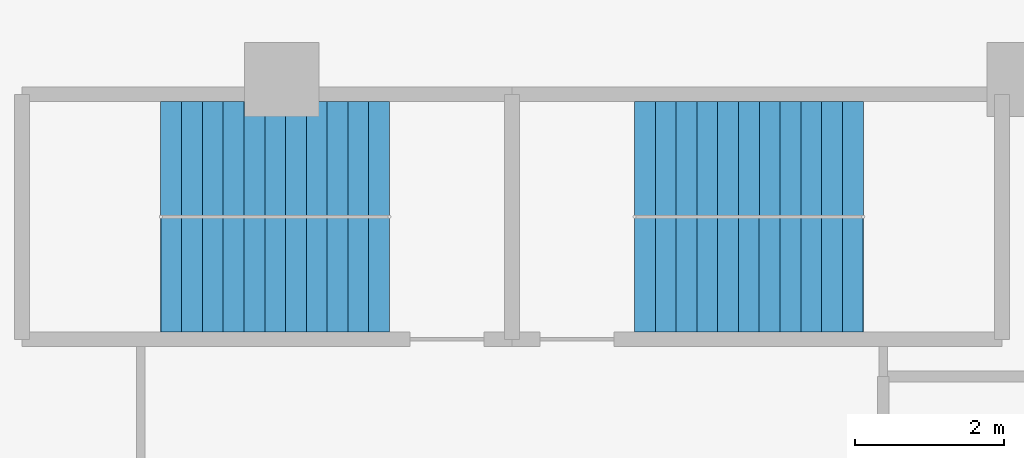
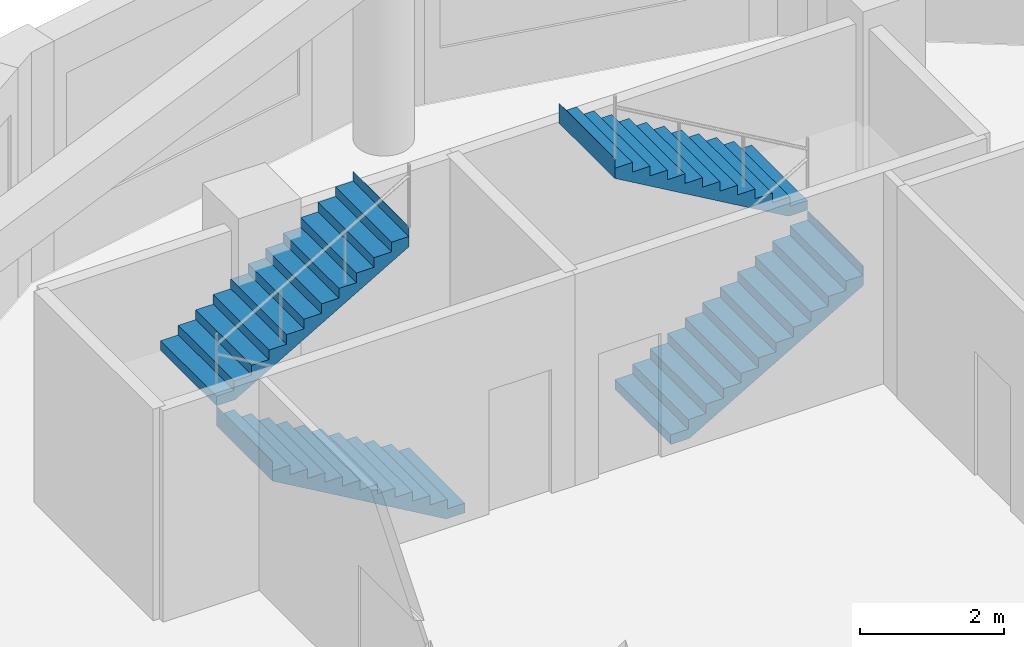
# One storey, part 7 of 9: 4 stair flights, 2 elements without a shape of their own.
"""IFC4 building model written with IfcOpenShell, lengths in metres."""

from ifc_helpers import new_model, si_unit, direction, frame, origin, place, context, subcontext, project, spatial, polyline, outline, extrude, material, type_object, element, aggregate, save


model = new_model("IFC4")

# Units and contexts
model_context = context("Model", 3, precision=1e-05, world=origin(), true_north=direction((0.0, 1.0)))
body_context = subcontext(model_context, "Body", "Model", "MODEL_VIEW")
ifc_project = project(units=[si_unit("LENGTHUNIT", "METRE"), si_unit("AREAUNIT", "SQUARE_METRE"), si_unit("VOLUMEUNIT", "CUBIC_METRE"), si_unit("PLANEANGLEUNIT", "RADIAN"), si_unit("MASSUNIT", "GRAM", prefix="KILO")], contexts=[model_context])

# Site, building, storey
site_placement = place(None, origin())
site = spatial("IfcSite", under=ifc_project, at=site_placement, CompositionType="ELEMENT")
building_placement = place(site_placement, origin())
building = spatial("IfcBuilding", under=site, at=building_placement, Name="Qaws Garden Tower", CompositionType="ELEMENT")
storey_placement = place(building_placement, frame((0.0, 0.0, 263.10009765625)))
storey = spatial("IfcBuildingStorey", under=building, at=storey_placement, Name="L63", CompositionType="ELEMENT", Elevation=263.10009765625)

# Stair, stair flights
ifc_material_1 = material(Name="Concrete C40", Category="concrete")
stair_type = type_object("IfcStairType", Name="Exit stair 1350", PredefinedType="HALF_TURN_STAIR", material=ifc_material_1)
placement = place(storey_placement, origin())
stair_1 = element("IfcStair", 1, at=placement, inside=storey, type_object=stair_type, Name="Stair 6", PredefinedType="HALF_TURN_STAIR")
ifc_material_2 = material(Name="Concrete C40", Category="concrete")
stair_flight_type = type_object("IfcStairFlightType", Name="Stair flight 1350", PredefinedType="STRAIGHT", material=ifc_material_2)
stair_flight_1_placement = place(storey_placement, frame((11.449951171875, 67.375, 0.0), z_axis=(0.0, 0.0, 1.0), x_axis=(-1.0, 0.0, 0.0)))
stair_flight_1 = element("IfcStairFlight", 2, at=stair_flight_1_placement, type_object=stair_flight_type, Name="ST6 flight 1", NumberOfRisers=12, NumberOfTreads=11, PredefinedType="STRAIGHT", RiserHeight=0.1625, TreadLength=0.28, context=body_context, shape_type="SweptSolid", body=[
    extrude(outline(polyline([(-0.0029296875, 0.0), (-0.0029296875, 0.16259765625), (0.0, 0.16259765625), (0.280029296875, 0.16259765625), (0.280029296875, 0.324951171875), (0.56005859375, 0.324951171875), (0.56005859375, 0.487548828125), (0.840087890625, 0.487548828125), (0.840087890625, 0.64990234375), (1.1201171875, 0.64990234375), (1.1201171875, 0.8125), (1.39990234375, 0.8125), (1.39990234375, 0.97509765625), (1.679931640625, 0.97509765625), (1.679931640625, 1.137451171875), (1.9599609375, 1.137451171875), (1.9599609375, 1.300048828125), (2.239990234375, 1.300048828125), (2.239990234375, 1.46240234375), (2.52001953125, 1.46240234375), (2.52001953125, 1.625), (2.800048828125, 1.625), (2.800048828125, 1.78759765625), (3.080078125, 1.78759765625), (3.080078125, 1.949951171875), (3.0830078125, 1.949951171875), (3.0830078125, 1.6142578125), (3.080078125, 1.6142578125), (0.298583984375, 0.0), (-0.0029296875, 0.0)])), frame((0.0, 0.77490234375, 0.0), z_axis=(0.0, -1.0, 0.0), x_axis=(1.0, 0.0, 0.0)), (0.0, 0.0, 1.0), 1.550048828125),
])
stair_flight_2_placement = place(storey_placement, frame((8.3701171875, 68.925048828125, 1.949951171875), z_axis=(0.0, 0.0, 1.0), x_axis=(1.0, 0.0, 0.0)))
stair_flight_2 = element("IfcStairFlight", 3, at=stair_flight_2_placement, type_object=stair_flight_type, Name="ST6 flight 2", NumberOfRisers=12, NumberOfTreads=11, PredefinedType="STRAIGHT", RiserHeight=0.1625, TreadLength=0.28, context=body_context, shape_type="SweptSolid", body=[
    extrude(outline(polyline([(-0.0029296875, 0.0), (-0.0029296875, 0.16259765625), (0.0, 0.16259765625), (0.280029296875, 0.16259765625), (0.280029296875, 0.324951171875), (0.56005859375, 0.324951171875), (0.56005859375, 0.487548828125), (0.840087890625, 0.487548828125), (0.840087890625, 0.64990234375), (1.1201171875, 0.64990234375), (1.1201171875, 0.8125), (1.39990234375, 0.8125), (1.39990234375, 0.97509765625), (1.679931640625, 0.97509765625), (1.679931640625, 1.137451171875), (1.9599609375, 1.137451171875), (1.9599609375, 1.300048828125), (2.239990234375, 1.300048828125), (2.239990234375, 1.46240234375), (2.52001953125, 1.46240234375), (2.52001953125, 1.625), (2.800048828125, 1.625), (2.800048828125, 1.78759765625), (3.080078125, 1.78759765625), (3.080078125, 1.949951171875), (3.0830078125, 1.949951171875), (3.0830078125, 1.6142578125), (3.080078125, 1.6142578125), (0.298583984375, 0.0), (-0.0029296875, 0.0)])), frame((0.0, 0.77490234375, 0.0), z_axis=(0.0, -1.0, 0.0), x_axis=(1.0, 0.0, 0.0)), (0.0, 0.0, 1.0), 1.550048828125),
])
aggregate(stair_1, [stair_flight_1, stair_flight_2])

stair_2 = element("IfcStair", 4, at=placement, inside=storey, type_object=stair_type, Name="Stair 7", PredefinedType="HALF_TURN_STAIR")
stair_flight_3_placement = place(storey_placement, frame((14.75, 67.375, 0.0), z_axis=(0.0, 0.0, 1.0), x_axis=(1.0, 0.0, 0.0)))
stair_flight_3 = element("IfcStairFlight", 5, at=stair_flight_3_placement, type_object=stair_flight_type, Name="ST7 flight 1", NumberOfRisers=12, NumberOfTreads=11, PredefinedType="STRAIGHT", RiserHeight=0.1625, TreadLength=0.28, context=body_context, shape_type="SweptSolid", body=[
    extrude(outline(polyline([(-0.0029296875, 0.0), (-0.0029296875, 0.16259765625), (0.0, 0.16259765625), (0.280029296875, 0.16259765625), (0.280029296875, 0.324951171875), (0.56005859375, 0.324951171875), (0.56005859375, 0.487548828125), (0.840087890625, 0.487548828125), (0.840087890625, 0.64990234375), (1.1201171875, 0.64990234375), (1.1201171875, 0.8125), (1.39990234375, 0.8125), (1.39990234375, 0.97509765625), (1.679931640625, 0.97509765625), (1.679931640625, 1.137451171875), (1.9599609375, 1.137451171875), (1.9599609375, 1.300048828125), (2.239990234375, 1.300048828125), (2.239990234375, 1.46240234375), (2.52001953125, 1.46240234375), (2.52001953125, 1.625), (2.800048828125, 1.625), (2.800048828125, 1.78759765625), (3.080078125, 1.78759765625), (3.080078125, 1.949951171875), (3.0830078125, 1.949951171875), (3.0830078125, 1.6142578125), (3.080078125, 1.6142578125), (0.298583984375, 0.0), (-0.0029296875, 0.0)])), frame((0.0, 0.77490234375, 0.0), z_axis=(0.0, -1.0, 0.0), x_axis=(1.0, 0.0, 0.0)), (0.0, 0.0, 1.0), 1.550048828125),
])
stair_flight_4_placement = place(storey_placement, frame((17.830078125, 68.925048828125, 1.949951171875), z_axis=(0.0, 0.0, 1.0), x_axis=(-1.0, 0.0, 0.0)))
stair_flight_4 = element("IfcStairFlight", 6, at=stair_flight_4_placement, type_object=stair_flight_type, Name="ST7 flight 2", NumberOfRisers=12, NumberOfTreads=11, PredefinedType="STRAIGHT", RiserHeight=0.1625, TreadLength=0.28, context=body_context, shape_type="SweptSolid", body=[
    extrude(outline(polyline([(-0.0029296875, 0.0), (-0.0029296875, 0.16259765625), (0.0, 0.16259765625), (0.280029296875, 0.16259765625), (0.280029296875, 0.324951171875), (0.56005859375, 0.324951171875), (0.56005859375, 0.487548828125), (0.840087890625, 0.487548828125), (0.840087890625, 0.64990234375), (1.1201171875, 0.64990234375), (1.1201171875, 0.8125), (1.39990234375, 0.8125), (1.39990234375, 0.97509765625), (1.679931640625, 0.97509765625), (1.679931640625, 1.137451171875), (1.9599609375, 1.137451171875), (1.9599609375, 1.300048828125), (2.239990234375, 1.300048828125), (2.239990234375, 1.46240234375), (2.52001953125, 1.46240234375), (2.52001953125, 1.625), (2.800048828125, 1.625), (2.800048828125, 1.78759765625), (3.080078125, 1.78759765625), (3.080078125, 1.949951171875), (3.0830078125, 1.949951171875), (3.0830078125, 1.6142578125), (3.080078125, 1.6142578125), (0.298583984375, 0.0), (-0.0029296875, 0.0)])), frame((0.0, 0.77490234375, 0.0), z_axis=(0.0, -1.0, 0.0), x_axis=(1.0, 0.0, 0.0)), (0.0, 0.0, 1.0), 1.550048828125),
])
aggregate(stair_2, [stair_flight_3, stair_flight_4])

save(model, "model.ifc")
